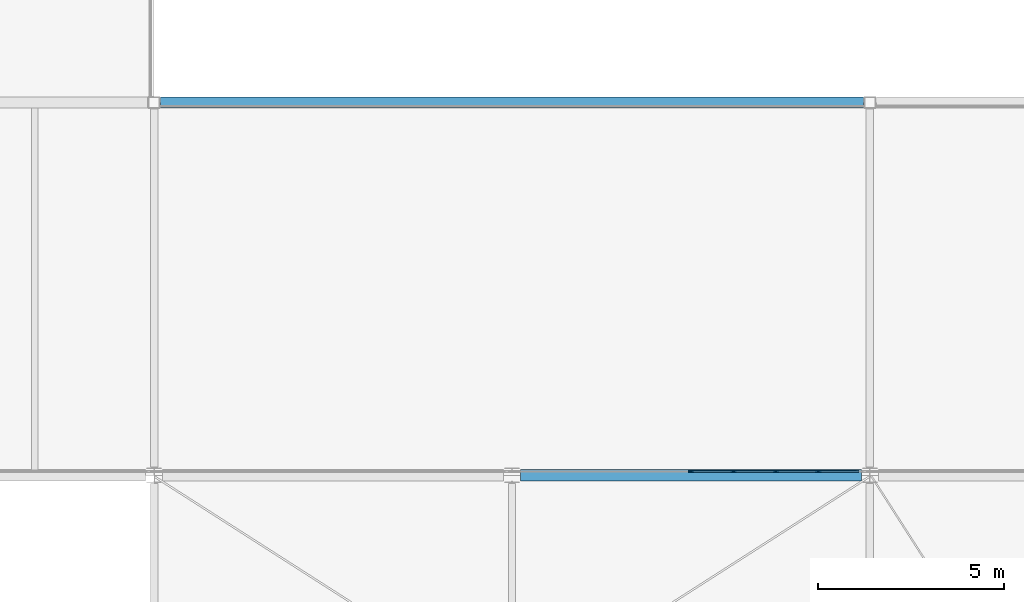
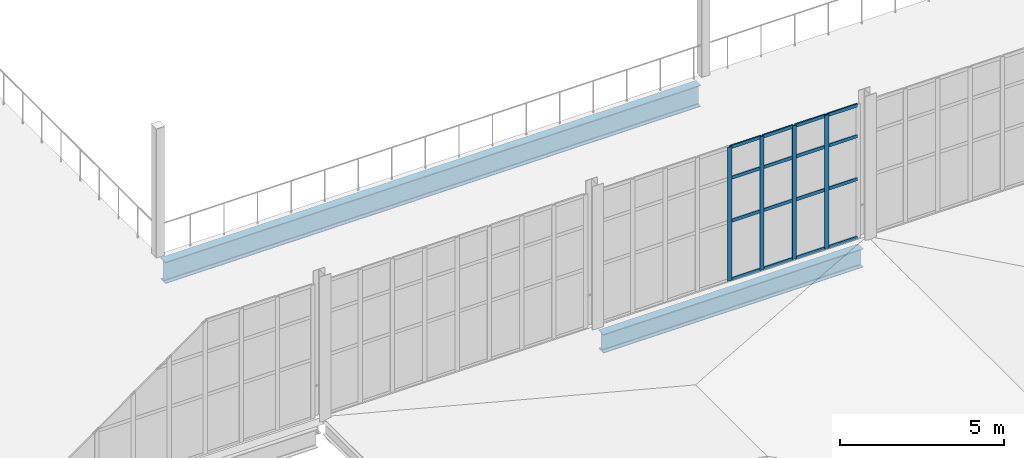
# One storey, part 30 of 112: 20 members, 2 beams, 1 element without a shape of its own.
"""IFC4 building model written with IfcOpenShell, lengths in metres."""

from ifc_helpers import new_model, si_unit, direction, frame, origin, origin_2d, place, context, subcontext, project, spatial, rectangle, i_section, extrude, material, layer, layer_set, material_profile, profile_set, type_object, element, aggregate, save


model = new_model("IFC4")

# Units and contexts
model_context = context("Model", 3, precision=1e-05, world=origin(), true_north=direction((0.0, 1.0)))
body_context = subcontext(model_context, "Body", "Model", "MODEL_VIEW")
ifc_project = project(units=[si_unit("LENGTHUNIT", "METRE"), si_unit("AREAUNIT", "SQUARE_METRE"), si_unit("VOLUMEUNIT", "CUBIC_METRE"), si_unit("PLANEANGLEUNIT", "RADIAN"), si_unit("MASSUNIT", "GRAM", prefix="KILO")], contexts=[model_context])

# Site, building, storey
site_placement = place(None, origin())
site = spatial("IfcSite", under=ifc_project, at=site_placement, CompositionType="ELEMENT")
building_placement = place(site_placement, origin())
building = spatial("IfcBuilding", under=site, at=building_placement, Name="Yeouljin Market Hall", CompositionType="ELEMENT")
storey_placement = place(building_placement, frame((0.0, 0.0, 6.0)))
storey = spatial("IfcBuildingStorey", under=building, at=storey_placement, Name="L01", CompositionType="ELEMENT", Elevation=6.0)

# Curtain wall, members
ifc_material_1 = material(Name="Thermally Broken Aluminium", Category="aluminium")
ifc_layer = layer(ifc_material_1, 0.159912109375)
ifc_layer_set = layer_set([ifc_layer], Name="Thermally Broken Aluminium")
curtain_wall_type = type_object("IfcCurtainWallType", Name="CW_HallClerestory_System", PredefinedType="USERDEFINED", material=ifc_layer_set)
curtain_wall_placement = place(storey_placement, origin())
curtain_wall = element("IfcCurtainWall", 1, at=curtain_wall_placement, inside=storey, type_object=curtain_wall_type, Name="Curtain wall CW-V1S-L01-03", ObjectType="CURTAIN WALL", PredefinedType="USERDEFINED")
ifc_material_2 = material(Name="Thermally Broken Aluminium", Category="aluminium")
ifc_material_profile_1 = material_profile(ifc_material_2, rectangle(XDim=0.048095703125, YDim=0.14990234375, at=origin_2d()), Name="CW-MULL-48x150")
ifc_profile_set_1 = profile_set([ifc_material_profile_1], Name="Thermally Broken Aluminium")
member_type_1 = type_object("IfcMemberType", Name="CWMullion_48x150", PredefinedType="MULLION", material=ifc_profile_set_1)
member_1_placement = place(storey_placement, frame((62.8125, 36.10009765625, 0.0), z_axis=(0.0, 0.0, 1.0), x_axis=(0.0, -1.0, 0.0)))
member_1 = element("IfcMember", 2, at=member_1_placement, type_object=member_type_1, Name="CW-02 mullion 2", PredefinedType="MULLION", context=body_context, shape_type="SweptSolid", body=[
    extrude(rectangle(XDim=0.048095703125, YDim=0.14990234375, at=origin_2d()), origin(), (0.0, 0.0, 1.0), 4.969970703125),
])
member_2_placement = place(storey_placement, frame((61.675048828125, 36.10009765625, 0.0), z_axis=(0.0, 0.0, 1.0), x_axis=(0.0, -1.0, 0.0)))
member_2 = element("IfcMember", 3, at=member_2_placement, type_object=member_type_1, Name="CW-02 mullion 3", PredefinedType="MULLION", context=body_context, shape_type="SweptSolid", body=[
    extrude(rectangle(XDim=0.048095703125, YDim=0.14990234375, at=origin_2d()), origin(), (0.0, 0.0, 1.0), 4.969970703125),
])
member_3_placement = place(storey_placement, frame((60.53759765625, 36.10009765625, 0.0), z_axis=(0.0, 0.0, 1.0), x_axis=(0.0, -1.0, 0.0)))
member_3 = element("IfcMember", 4, at=member_3_placement, type_object=member_type_1, Name="CW-02 mullion 4", PredefinedType="MULLION", context=body_context, shape_type="SweptSolid", body=[
    extrude(rectangle(XDim=0.048095703125, YDim=0.14990234375, at=origin_2d()), origin(), (0.0, 0.0, 1.0), 4.969970703125),
])
member_4_placement = place(storey_placement, frame((59.39990234375, 36.10009765625, 0.0), z_axis=(0.0, 0.0, 1.0), x_axis=(0.0, -1.0, 0.0)))
member_4 = element("IfcMember", 5, at=member_4_placement, type_object=member_type_1, Name="CW-02 mullion 5", PredefinedType="MULLION", context=body_context, shape_type="SweptSolid", body=[
    extrude(rectangle(XDim=0.048095703125, YDim=0.14990234375, at=origin_2d()), origin(), (0.0, 0.0, 1.0), 4.969970703125),
])
ifc_material_3 = material(Name="Thermally Broken Aluminium", Category="aluminium")
ifc_material_profile_2 = material_profile(ifc_material_3, rectangle(XDim=0.048095703125, YDim=0.1201171875, at=origin_2d()), Name="CW-TRAN-48x120")
ifc_profile_set_2 = profile_set([ifc_material_profile_2], Name="Thermally Broken Aluminium")
member_type_2 = type_object("IfcMemberType", Name="CWTransom_48x120", PredefinedType="USERDEFINED", material=ifc_profile_set_2)
member_5_placement = place(storey_placement, frame((63.902099609375, 36.10009765625, 0.02392578125), z_axis=(-1.0, 0.0, 0.0), x_axis=(0.0, -1.0, 0.0)))
member_5 = element("IfcMember", 6, at=member_5_placement, type_object=member_type_2, Name="CW-02 transom 1.1", ObjectType="TRANSOM", PredefinedType="USERDEFINED", context=body_context, shape_type="SweptSolid", body=[
    extrude(rectangle(XDim=0.048095703125, YDim=0.1201171875, at=origin_2d()), origin(), (0.0, 0.0, 1.0), 1.065673828125),
])
member_6_placement = place(storey_placement, frame((63.902099609375, 36.10009765625, 2.199951171875), z_axis=(-1.0, 0.0, 0.0), x_axis=(0.0, -1.0, 0.0)))
member_6 = element("IfcMember", 7, at=member_6_placement, type_object=member_type_2, Name="CW-02 transom 1.2", ObjectType="TRANSOM", PredefinedType="USERDEFINED", context=body_context, shape_type="SweptSolid", body=[
    extrude(rectangle(XDim=0.048095703125, YDim=0.1201171875, at=origin_2d()), origin(), (0.0, 0.0, 1.0), 1.065673828125),
])
member_7_placement = place(storey_placement, frame((63.902099609375, 36.10009765625, 3.800048828125), z_axis=(-1.0, 0.0, 0.0), x_axis=(0.0, -1.0, 0.0)))
member_7 = element("IfcMember", 8, at=member_7_placement, type_object=member_type_2, Name="CW-02 transom 1.3", ObjectType="TRANSOM", PredefinedType="USERDEFINED", context=body_context, shape_type="SweptSolid", body=[
    extrude(rectangle(XDim=0.048095703125, YDim=0.1201171875, at=origin_2d()), origin(), (0.0, 0.0, 1.0), 1.065673828125),
])
member_8_placement = place(storey_placement, frame((63.902099609375, 36.10009765625, 4.946044921875), z_axis=(-1.0, 0.0, 0.0), x_axis=(0.0, -1.0, 0.0)))
member_8 = element("IfcMember", 9, at=member_8_placement, type_object=member_type_2, Name="CW-02 transom 1.4", ObjectType="TRANSOM", PredefinedType="USERDEFINED", context=body_context, shape_type="SweptSolid", body=[
    extrude(rectangle(XDim=0.048095703125, YDim=0.1201171875, at=origin_2d()), origin(), (0.0, 0.0, 1.0), 1.065673828125),
])
member_9_placement = place(storey_placement, frame((62.78857421875, 36.10009765625, 0.02392578125), z_axis=(-1.0, 0.0, 0.0), x_axis=(0.0, -1.0, 0.0)))
member_9 = element("IfcMember", 10, at=member_9_placement, type_object=member_type_2, Name="CW-02 transom 2.1", ObjectType="TRANSOM", PredefinedType="USERDEFINED", context=body_context, shape_type="SweptSolid", body=[
    extrude(rectangle(XDim=0.048095703125, YDim=0.1201171875, at=origin_2d()), origin(), (0.0, 0.0, 1.0), 1.089599609375),
])
member_10_placement = place(storey_placement, frame((62.78857421875, 36.10009765625, 2.199951171875), z_axis=(-1.0, 0.0, 0.0), x_axis=(0.0, -1.0, 0.0)))
member_10 = element("IfcMember", 11, at=member_10_placement, type_object=member_type_2, Name="CW-02 transom 2.2", ObjectType="TRANSOM", PredefinedType="USERDEFINED", context=body_context, shape_type="SweptSolid", body=[
    extrude(rectangle(XDim=0.048095703125, YDim=0.1201171875, at=origin_2d()), origin(), (0.0, 0.0, 1.0), 1.089599609375),
])
member_11_placement = place(storey_placement, frame((62.78857421875, 36.10009765625, 3.800048828125), z_axis=(-1.0, 0.0, 0.0), x_axis=(0.0, -1.0, 0.0)))
member_11 = element("IfcMember", 12, at=member_11_placement, type_object=member_type_2, Name="CW-02 transom 2.3", ObjectType="TRANSOM", PredefinedType="USERDEFINED", context=body_context, shape_type="SweptSolid", body=[
    extrude(rectangle(XDim=0.048095703125, YDim=0.1201171875, at=origin_2d()), origin(), (0.0, 0.0, 1.0), 1.089599609375),
])
member_12_placement = place(storey_placement, frame((62.78857421875, 36.10009765625, 4.946044921875), z_axis=(-1.0, 0.0, 0.0), x_axis=(0.0, -1.0, 0.0)))
member_12 = element("IfcMember", 13, at=member_12_placement, type_object=member_type_2, Name="CW-02 transom 2.4", ObjectType="TRANSOM", PredefinedType="USERDEFINED", context=body_context, shape_type="SweptSolid", body=[
    extrude(rectangle(XDim=0.048095703125, YDim=0.1201171875, at=origin_2d()), origin(), (0.0, 0.0, 1.0), 1.089599609375),
])
member_13_placement = place(storey_placement, frame((61.65087890625, 36.10009765625, 0.02392578125), z_axis=(-1.0, 0.0, 0.0), x_axis=(0.0, -1.0, 0.0)))
member_13 = element("IfcMember", 14, at=member_13_placement, type_object=member_type_2, Name="CW-02 transom 3.1", ObjectType="TRANSOM", PredefinedType="USERDEFINED", context=body_context, shape_type="SweptSolid", body=[
    extrude(rectangle(XDim=0.048095703125, YDim=0.1201171875, at=origin_2d()), origin(), (0.0, 0.0, 1.0), 1.08935546875),
])
member_14_placement = place(storey_placement, frame((61.65087890625, 36.10009765625, 2.199951171875), z_axis=(-1.0, 0.0, 0.0), x_axis=(0.0, -1.0, 0.0)))
member_14 = element("IfcMember", 15, at=member_14_placement, type_object=member_type_2, Name="CW-02 transom 3.2", ObjectType="TRANSOM", PredefinedType="USERDEFINED", context=body_context, shape_type="SweptSolid", body=[
    extrude(rectangle(XDim=0.048095703125, YDim=0.1201171875, at=origin_2d()), origin(), (0.0, 0.0, 1.0), 1.08935546875),
])
member_15_placement = place(storey_placement, frame((61.65087890625, 36.10009765625, 3.800048828125), z_axis=(-1.0, 0.0, 0.0), x_axis=(0.0, -1.0, 0.0)))
member_15 = element("IfcMember", 16, at=member_15_placement, type_object=member_type_2, Name="CW-02 transom 3.3", ObjectType="TRANSOM", PredefinedType="USERDEFINED", context=body_context, shape_type="SweptSolid", body=[
    extrude(rectangle(XDim=0.048095703125, YDim=0.1201171875, at=origin_2d()), origin(), (0.0, 0.0, 1.0), 1.08935546875),
])
member_16_placement = place(storey_placement, frame((61.65087890625, 36.10009765625, 4.946044921875), z_axis=(-1.0, 0.0, 0.0), x_axis=(0.0, -1.0, 0.0)))
member_16 = element("IfcMember", 17, at=member_16_placement, type_object=member_type_2, Name="CW-02 transom 3.4", ObjectType="TRANSOM", PredefinedType="USERDEFINED", context=body_context, shape_type="SweptSolid", body=[
    extrude(rectangle(XDim=0.048095703125, YDim=0.1201171875, at=origin_2d()), origin(), (0.0, 0.0, 1.0), 1.08935546875),
])
member_17_placement = place(storey_placement, frame((60.513427734375, 36.10009765625, 0.02392578125), z_axis=(-1.0, 0.0, 0.0), x_axis=(0.0, -1.0, 0.0)))
member_17 = element("IfcMember", 18, at=member_17_placement, type_object=member_type_2, Name="CW-02 transom 4.1", ObjectType="TRANSOM", PredefinedType="USERDEFINED", context=body_context, shape_type="SweptSolid", body=[
    extrude(rectangle(XDim=0.048095703125, YDim=0.1201171875, at=origin_2d()), origin(), (0.0, 0.0, 1.0), 1.08935546875),
])
member_18_placement = place(storey_placement, frame((60.513427734375, 36.10009765625, 2.199951171875), z_axis=(-1.0, 0.0, 0.0), x_axis=(0.0, -1.0, 0.0)))
member_18 = element("IfcMember", 19, at=member_18_placement, type_object=member_type_2, Name="CW-02 transom 4.2", ObjectType="TRANSOM", PredefinedType="USERDEFINED", context=body_context, shape_type="SweptSolid", body=[
    extrude(rectangle(XDim=0.048095703125, YDim=0.1201171875, at=origin_2d()), origin(), (0.0, 0.0, 1.0), 1.08935546875),
])
member_19_placement = place(storey_placement, frame((60.513427734375, 36.10009765625, 3.800048828125), z_axis=(-1.0, 0.0, 0.0), x_axis=(0.0, -1.0, 0.0)))
member_19 = element("IfcMember", 20, at=member_19_placement, type_object=member_type_2, Name="CW-02 transom 4.3", ObjectType="TRANSOM", PredefinedType="USERDEFINED", context=body_context, shape_type="SweptSolid", body=[
    extrude(rectangle(XDim=0.048095703125, YDim=0.1201171875, at=origin_2d()), origin(), (0.0, 0.0, 1.0), 1.08935546875),
])
member_20_placement = place(storey_placement, frame((60.513427734375, 36.10009765625, 4.946044921875), z_axis=(-1.0, 0.0, 0.0), x_axis=(0.0, -1.0, 0.0)))
member_20 = element("IfcMember", 21, at=member_20_placement, type_object=member_type_2, Name="CW-02 transom 4.4", ObjectType="TRANSOM", PredefinedType="USERDEFINED", context=body_context, shape_type="SweptSolid", body=[
    extrude(rectangle(XDim=0.048095703125, YDim=0.1201171875, at=origin_2d()), origin(), (0.0, 0.0, 1.0), 1.08935546875),
])
aggregate(curtain_wall, [member_1, member_2, member_3, member_4, member_5, member_6, member_7, member_8, member_9, member_10, member_11, member_12, member_13, member_14, member_15, member_16, member_17, member_18, member_19, member_20])

# Beams
ifc_material_4 = material(Name="Steel SM355", Category="steel")
ifc_material_profile_3 = material_profile(ifc_material_4, i_section(OverallWidth=0.300048828125, OverallDepth=0.699951171875, WebThickness=0.012939453125, FlangeThickness=0.02392578125, FilletRadius=0.02587890625, at=origin_2d()), Name="H-700x300x13x24")
ifc_profile_set_3 = profile_set([ifc_material_profile_3], Name="Steel SM355")
beam_type_1 = type_object("IfcBeamType", Name="Girder_H-700x300x13x24", PredefinedType="USERDEFINED", material=ifc_profile_set_3)
beam_1_placement = place(storey_placement, frame((54.824951171875, 36.0, -0.6201171875), z_axis=(1.0, 0.0, 0.0), x_axis=(0.0, 1.0, 0.0)))
element("IfcBeam", 22, at=beam_1_placement, inside=storey, type_object=beam_type_1, Name="Primary girder GRD-L01-X050", ObjectType="GIRDER", PredefinedType="USERDEFINED", context=body_context, shape_type="SweptSolid", body=[
    extrude(i_section(OverallWidth=0.300048828125, OverallDepth=0.699951171875, WebThickness=0.012939453125, FlangeThickness=0.02392578125, FilletRadius=0.02587890625, at=origin_2d()), origin(), (0.0, 0.0, 1.0), 9.150146484375),
])
ifc_material_5 = material(Name="Steel SM355", Category="steel")
ifc_material_profile_4 = material_profile(ifc_material_5, i_section(OverallWidth=0.300048828125, OverallDepth=0.800048828125, WebThickness=0.013916015625, FlangeThickness=0.02587890625, FilletRadius=0.028076171875, at=origin_2d()), Name="H-800x300x14x26")
ifc_profile_set_4 = profile_set([ifc_material_profile_4], Name="Steel SM355")
beam_type_2 = type_object("IfcBeamType", Name="Girder_H-800x300x14x26", PredefinedType="USERDEFINED", material=ifc_profile_set_4)
beam_2_placement = place(storey_placement, frame((45.175048828125, 46.0, -0.669921875), z_axis=(1.0, 0.0, 0.0), x_axis=(0.0, 1.0, 0.0)))
element("IfcBeam", 23, at=beam_2_placement, inside=storey, type_object=beam_type_2, Name="Primary girder GRD-L01-X063", ObjectType="GIRDER", PredefinedType="USERDEFINED", context=body_context, shape_type="SweptSolid", body=[
    extrude(i_section(OverallWidth=0.300048828125, OverallDepth=0.800048828125, WebThickness=0.013916015625, FlangeThickness=0.02587890625, FilletRadius=0.028076171875, at=origin_2d()), origin(), (0.0, 0.0, 1.0), 18.849853515625),
])

save(model, "model.ifc")
